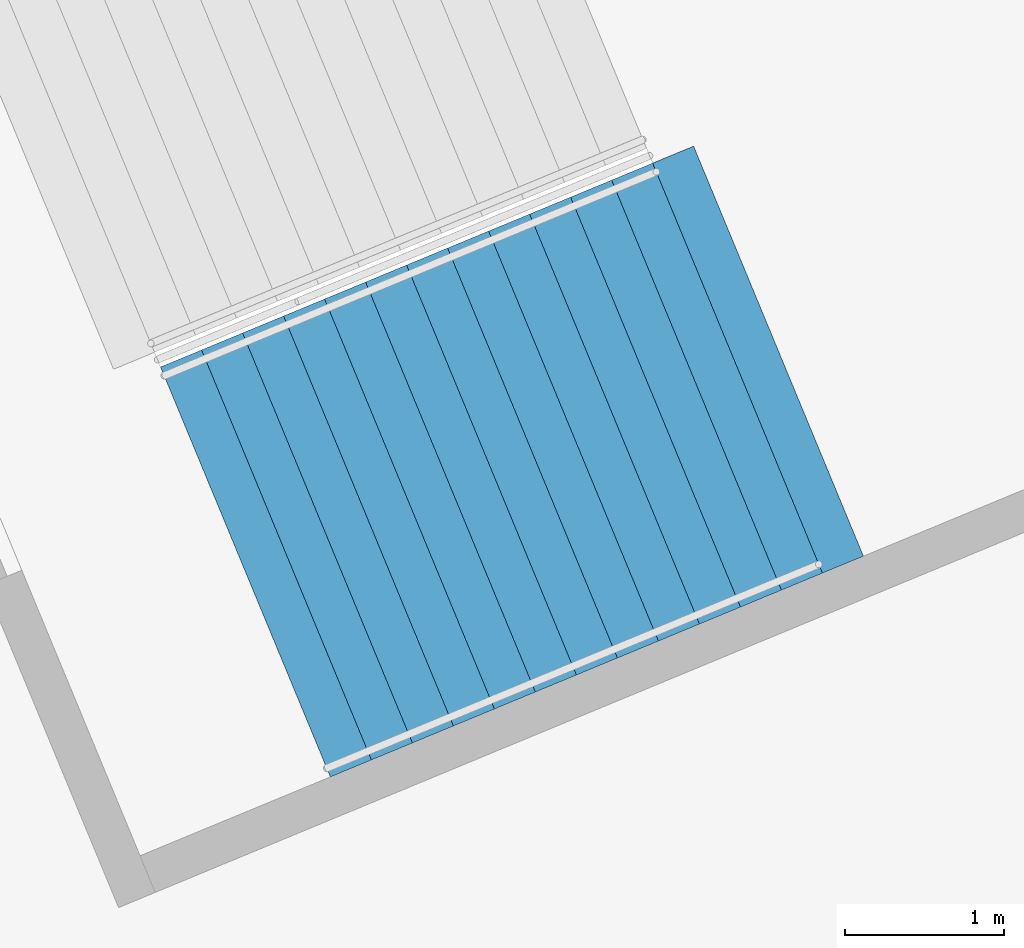
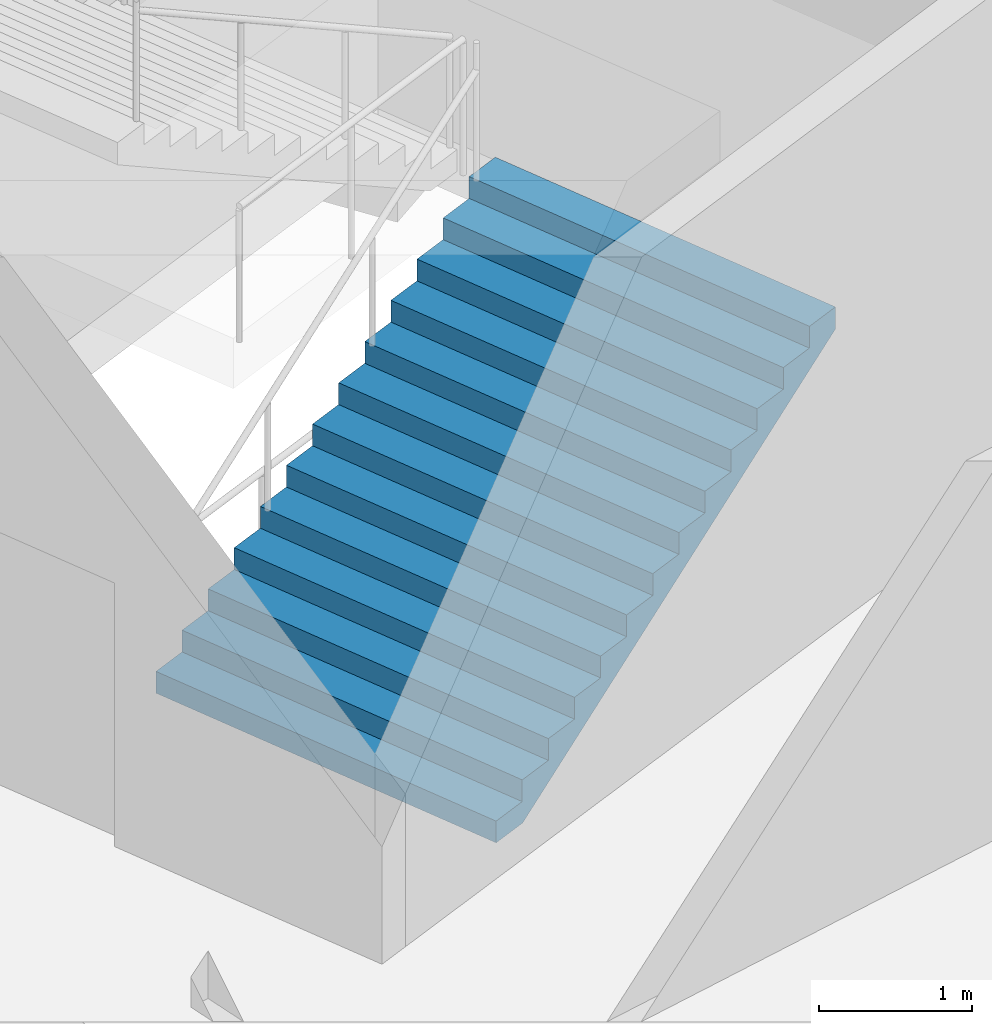
# One storey, part 181 of 199: 1 stair flight, 1 element without a shape of its own.
"""IFC4 building model written with IfcOpenShell, lengths in metres."""

from ifc_helpers import new_model, si_unit, direction, frame, origin, place, context, subcontext, project, spatial, faceted_brep, material, type_object, element, aggregate, save


model = new_model("IFC4")

# Units and contexts
model_context = context("Model", 3, precision=1e-05, world=origin(), true_north=direction((0.0, 1.0)))
body_context = subcontext(model_context, "Body", "Model", "MODEL_VIEW")
ifc_project = project(units=[si_unit("LENGTHUNIT", "METRE"), si_unit("AREAUNIT", "SQUARE_METRE"), si_unit("VOLUMEUNIT", "CUBIC_METRE"), si_unit("PLANEANGLEUNIT", "RADIAN"), si_unit("MASSUNIT", "GRAM", prefix="KILO")], contexts=[model_context])

# Site, building, storey
site_placement = place(None, origin())
site = spatial("IfcSite", under=ifc_project, at=site_placement, CompositionType="ELEMENT")
building_placement = place(site_placement, origin())
building = spatial("IfcBuilding", under=site, at=building_placement, Name="Ogive Plaza Stadium", CompositionType="ELEMENT")
storey_placement = place(building_placement, frame((0.0, 0.0, 4.5)))
storey = spatial("IfcBuildingStorey", under=building, at=storey_placement, Name="L01", CompositionType="ELEMENT", Elevation=4.5)

# Stair, stair flight
ifc_material_1 = material(Name="Concrete C40/50", Category="concrete")
stair_type = type_object("IfcStairType", Name="Exit stair", PredefinedType="STRAIGHT_RUN_STAIR", material=ifc_material_1)
stair_placement = place(storey_placement, origin())
stair = element("IfcStair", 1, at=stair_placement, inside=storey, type_object=stair_type, Name="Exit stair ST40A L01 to L02", PredefinedType="STRAIGHT_RUN_STAIR")
ifc_material_2 = material(Name="Concrete C40/50", Category="concrete")
stair_flight_type = type_object("IfcStairFlightType", Name="Exit stair flight", PredefinedType="STRAIGHT", material=ifc_material_2)
stair_flight_placement = place(storey_placement, frame((74.819580078125, 64.618408203125, 0.0), z_axis=(0.0, 0.0, 1.0), x_axis=(0.923879532511, 0.382683432365, 0.0)))
stair_flight = element("IfcStairFlight", 2, at=stair_flight_placement, type_object=stair_flight_type, Name="ST40A flight 1", NumberOfRisers=13, NumberOfTreads=12, PredefinedType="STRAIGHT", RiserHeight=0.173076923, TreadLength=0.28, context=body_context, shape_type="Brep", body=[
    faceted_brep([(0.28515625, -1.39990234375, 0.0), (3.639892578125, -1.39990234375, 2.07373046875), (3.639892578125, -1.39990234375, 2.25), (3.360107421875, -1.39990234375, 2.25), (3.360107421875, -1.39990234375, 2.076904296875), (3.080078125, -1.39990234375, 2.076904296875), (3.080078125, -1.39990234375, 1.90380859375), (2.800048828125, -1.39990234375, 1.90380859375), (2.800048828125, -1.39990234375, 1.730712890625), (2.52001953125, -1.39990234375, 1.730712890625), (2.52001953125, -1.39990234375, 1.5576171875), (2.239990234375, -1.39990234375, 1.5576171875), (2.239990234375, -1.39990234375, 1.384521484375), (1.9599609375, -1.39990234375, 1.384521484375), (1.9599609375, -1.39990234375, 1.21142578125), (1.679931640625, -1.39990234375, 1.21142578125), (1.679931640625, -1.39990234375, 1.03857421875), (1.39990234375, -1.39990234375, 1.03857421875), (1.39990234375, -1.39990234375, 0.865478515625), (1.1201171875, -1.39990234375, 0.865478515625), (1.1201171875, -1.39990234375, 0.6923828125), (0.840087890625, -1.39990234375, 0.6923828125), (0.840087890625, -1.39990234375, 0.519287109375), (0.56005859375, -1.39990234375, 0.519287109375), (0.56005859375, -1.39990234375, 0.34619140625), (0.280029296875, -1.39990234375, 0.34619140625), (0.280029296875, -1.39990234375, 0.173095703125), (0.0, -1.39990234375, 0.173095703125), (0.0, -1.39990234375, 0.0), (0.0, 1.39990234375, 0.0), (0.0, 1.39990234375, 0.173095703125), (0.280029296875, 1.39990234375, 0.173095703125), (0.280029296875, 1.39990234375, 0.34619140625), (0.56005859375, 1.39990234375, 0.34619140625), (0.56005859375, 1.39990234375, 0.519287109375), (0.840087890625, 1.39990234375, 0.519287109375), (0.840087890625, 1.39990234375, 0.6923828125), (1.1201171875, 1.39990234375, 0.6923828125), (1.1201171875, 1.39990234375, 0.865478515625), (1.39990234375, 1.39990234375, 0.865478515625), (1.39990234375, 1.39990234375, 1.03857421875), (1.679931640625, 1.39990234375, 1.03857421875), (1.679931640625, 1.39990234375, 1.21142578125), (1.9599609375, 1.39990234375, 1.21142578125), (1.9599609375, 1.39990234375, 1.384521484375), (2.239990234375, 1.39990234375, 1.384521484375), (2.239990234375, 1.39990234375, 1.5576171875), (2.52001953125, 1.39990234375, 1.5576171875), (2.52001953125, 1.39990234375, 1.730712890625), (2.800048828125, 1.39990234375, 1.730712890625), (2.800048828125, 1.39990234375, 1.90380859375), (3.080078125, 1.39990234375, 1.90380859375), (3.080078125, 1.39990234375, 2.076904296875), (3.360107421875, 1.39990234375, 2.076904296875), (3.360107421875, 1.39990234375, 2.25), (3.639892578125, 1.39990234375, 2.25), (3.639892578125, 1.39990234375, 2.07373046875), (0.28515625, 1.39990234375, 0.0), (0.28515625, -1.0888671875, 0.0), (3.639892578125, -1.0888671875, 2.07373046875), (0.28515625, -0.77783203125, 0.0), (3.639892578125, -0.77783203125, 2.07373046875), (0.28515625, -0.466796875, 0.0), (3.639892578125, -0.466796875, 2.07373046875), (0.28515625, -0.155517578125, 0.0), (3.639892578125, -0.155517578125, 2.07373046875), (0.28515625, 0.155517578125, 0.0), (3.639892578125, 0.155517578125, 2.07373046875), (0.28515625, 0.466796875, 0.0), (3.639892578125, 0.466796875, 2.07373046875), (0.28515625, 0.77783203125, 0.0), (3.639892578125, 0.77783203125, 2.07373046875), (0.28515625, 1.0888671875, 0.0), (3.639892578125, 1.0888671875, 2.07373046875), (3.639892578125, -1.0888671875, 2.25), (3.639892578125, -0.77783203125, 2.25), (3.639892578125, -0.466796875, 2.25), (3.639892578125, -0.155517578125, 2.25), (3.639892578125, 0.155517578125, 2.25), (3.639892578125, 0.466796875, 2.25), (3.639892578125, 0.77783203125, 2.25), (3.639892578125, 1.0888671875, 2.25), (3.360107421875, -1.0888671875, 2.25), (3.360107421875, -0.77783203125, 2.25), (3.360107421875, -0.466796875, 2.25), (3.360107421875, -0.155517578125, 2.25), (3.360107421875, 0.155517578125, 2.25), (3.360107421875, 0.466796875, 2.25), (3.360107421875, 0.77783203125, 2.25), (3.360107421875, 1.0888671875, 2.25), (3.360107421875, -1.0888671875, 2.076904296875), (3.360107421875, -0.77783203125, 2.076904296875), (3.360107421875, -0.466796875, 2.076904296875), (3.360107421875, -0.155517578125, 2.076904296875), (3.360107421875, 0.155517578125, 2.076904296875), (3.360107421875, 0.466796875, 2.076904296875), (3.360107421875, 0.77783203125, 2.076904296875), (3.360107421875, 1.0888671875, 2.076904296875), (3.080078125, -1.0888671875, 2.076904296875), (3.080078125, -0.77783203125, 2.076904296875), (3.080078125, -0.466796875, 2.076904296875), (3.080078125, -0.155517578125, 2.076904296875), (3.080078125, 0.155517578125, 2.076904296875), (3.080078125, 0.466796875, 2.076904296875), (3.080078125, 0.77783203125, 2.076904296875), (3.080078125, 1.0888671875, 2.076904296875), (3.080078125, -1.0888671875, 1.90380859375), (3.080078125, -0.77783203125, 1.90380859375), (3.080078125, -0.466796875, 1.90380859375), (3.080078125, -0.155517578125, 1.90380859375), (3.080078125, 0.155517578125, 1.90380859375), (3.080078125, 0.466796875, 1.90380859375), (3.080078125, 0.77783203125, 1.90380859375), (3.080078125, 1.0888671875, 1.90380859375), (2.800048828125, -1.0888671875, 1.90380859375), (2.800048828125, -0.77783203125, 1.90380859375), (2.800048828125, -0.466796875, 1.90380859375), (2.800048828125, -0.155517578125, 1.90380859375), (2.800048828125, 0.155517578125, 1.90380859375), (2.800048828125, 0.466796875, 1.90380859375), (2.800048828125, 0.77783203125, 1.90380859375), (2.800048828125, 1.0888671875, 1.90380859375), (2.800048828125, -1.0888671875, 1.730712890625), (2.800048828125, -0.77783203125, 1.730712890625), (2.800048828125, -0.466796875, 1.730712890625), (2.800048828125, -0.155517578125, 1.730712890625), (2.800048828125, 0.155517578125, 1.730712890625), (2.800048828125, 0.466796875, 1.730712890625), (2.800048828125, 0.77783203125, 1.730712890625), (2.800048828125, 1.0888671875, 1.730712890625), (2.52001953125, -1.0888671875, 1.730712890625), (2.52001953125, -0.77783203125, 1.730712890625), (2.52001953125, -0.466796875, 1.730712890625), (2.52001953125, -0.155517578125, 1.730712890625), (2.52001953125, 0.155517578125, 1.730712890625), (2.52001953125, 0.466796875, 1.730712890625), (2.52001953125, 0.77783203125, 1.730712890625), (2.52001953125, 1.0888671875, 1.730712890625), (2.52001953125, -1.0888671875, 1.5576171875), (2.52001953125, -0.77783203125, 1.5576171875), (2.52001953125, -0.466796875, 1.5576171875), (2.52001953125, -0.155517578125, 1.5576171875), (2.52001953125, 0.155517578125, 1.5576171875), (2.52001953125, 0.466796875, 1.5576171875), (2.52001953125, 0.77783203125, 1.5576171875), (2.52001953125, 1.0888671875, 1.5576171875), (2.239990234375, -1.0888671875, 1.5576171875), (2.239990234375, -0.77783203125, 1.5576171875), (2.239990234375, -0.466796875, 1.5576171875), (2.239990234375, -0.155517578125, 1.5576171875), (2.239990234375, 0.155517578125, 1.5576171875), (2.239990234375, 0.466796875, 1.5576171875), (2.239990234375, 0.77783203125, 1.5576171875), (2.239990234375, 1.0888671875, 1.5576171875), (2.239990234375, -1.0888671875, 1.384521484375), (2.239990234375, -0.77783203125, 1.384521484375), (2.239990234375, -0.466796875, 1.384521484375), (2.239990234375, -0.155517578125, 1.384521484375), (2.239990234375, 0.155517578125, 1.384521484375), (2.239990234375, 0.466796875, 1.384521484375), (2.239990234375, 0.77783203125, 1.384521484375), (2.239990234375, 1.0888671875, 1.384521484375), (1.9599609375, -1.0888671875, 1.384521484375), (1.9599609375, -0.77783203125, 1.384521484375), (1.9599609375, -0.466796875, 1.384521484375), (1.9599609375, -0.155517578125, 1.384521484375), (1.9599609375, 0.155517578125, 1.384521484375), (1.9599609375, 0.466796875, 1.384521484375), (1.9599609375, 0.77783203125, 1.384521484375), (1.9599609375, 1.0888671875, 1.384521484375), (1.9599609375, -1.0888671875, 1.21142578125), (1.9599609375, -0.77783203125, 1.21142578125), (1.9599609375, -0.466796875, 1.21142578125), (1.9599609375, -0.155517578125, 1.21142578125), (1.9599609375, 0.155517578125, 1.21142578125), (1.9599609375, 0.466796875, 1.21142578125), (1.9599609375, 0.77783203125, 1.21142578125), (1.9599609375, 1.0888671875, 1.21142578125), (1.679931640625, -1.0888671875, 1.21142578125), (1.679931640625, -0.77783203125, 1.21142578125), (1.679931640625, -0.466796875, 1.21142578125), (1.679931640625, -0.155517578125, 1.21142578125), (1.679931640625, 0.155517578125, 1.21142578125), (1.679931640625, 0.466796875, 1.21142578125), (1.679931640625, 0.77783203125, 1.21142578125), (1.679931640625, 1.0888671875, 1.21142578125), (1.679931640625, -1.0888671875, 1.03857421875), (1.679931640625, -0.77783203125, 1.03857421875), (1.679931640625, -0.466796875, 1.03857421875), (1.679931640625, -0.155517578125, 1.03857421875), (1.679931640625, 0.155517578125, 1.03857421875), (1.679931640625, 0.466796875, 1.03857421875), (1.679931640625, 0.77783203125, 1.03857421875), (1.679931640625, 1.0888671875, 1.03857421875), (1.39990234375, -1.0888671875, 1.03857421875), (1.39990234375, -0.77783203125, 1.03857421875), (1.39990234375, -0.466796875, 1.03857421875), (1.39990234375, -0.155517578125, 1.03857421875), (1.39990234375, 0.155517578125, 1.03857421875), (1.39990234375, 0.466796875, 1.03857421875), (1.39990234375, 0.77783203125, 1.03857421875), (1.39990234375, 1.0888671875, 1.03857421875), (1.39990234375, -1.0888671875, 0.865478515625), (1.39990234375, -0.77783203125, 0.865478515625), (1.39990234375, -0.466796875, 0.865478515625), (1.39990234375, -0.155517578125, 0.865478515625), (1.39990234375, 0.155517578125, 0.865478515625), (1.39990234375, 0.466796875, 0.865478515625), (1.39990234375, 0.77783203125, 0.865478515625), (1.39990234375, 1.0888671875, 0.865478515625), (1.1201171875, -1.0888671875, 0.865478515625), (1.1201171875, -0.77783203125, 0.865478515625), (1.1201171875, -0.466796875, 0.865478515625), (1.1201171875, -0.155517578125, 0.865478515625), (1.1201171875, 0.155517578125, 0.865478515625), (1.1201171875, 0.466796875, 0.865478515625), (1.1201171875, 0.77783203125, 0.865478515625), (1.1201171875, 1.0888671875, 0.865478515625), (1.1201171875, -1.0888671875, 0.6923828125), (1.1201171875, -0.77783203125, 0.6923828125), (1.1201171875, -0.466796875, 0.6923828125), (1.1201171875, -0.155517578125, 0.6923828125), (1.1201171875, 0.155517578125, 0.6923828125), (1.1201171875, 0.466796875, 0.6923828125), (1.1201171875, 0.77783203125, 0.6923828125), (1.1201171875, 1.0888671875, 0.6923828125), (0.840087890625, -1.0888671875, 0.6923828125), (0.840087890625, -0.77783203125, 0.6923828125), (0.840087890625, -0.466796875, 0.6923828125), (0.840087890625, -0.155517578125, 0.6923828125), (0.840087890625, 0.155517578125, 0.6923828125), (0.840087890625, 0.466796875, 0.6923828125), (0.840087890625, 0.77783203125, 0.6923828125), (0.840087890625, 1.0888671875, 0.6923828125), (0.840087890625, -1.0888671875, 0.519287109375), (0.840087890625, -0.77783203125, 0.519287109375), (0.840087890625, -0.466796875, 0.519287109375), (0.840087890625, -0.155517578125, 0.519287109375), (0.840087890625, 0.155517578125, 0.519287109375), (0.840087890625, 0.466796875, 0.519287109375), (0.840087890625, 0.77783203125, 0.519287109375), (0.840087890625, 1.0888671875, 0.519287109375), (0.56005859375, -1.0888671875, 0.519287109375), (0.56005859375, -0.77783203125, 0.519287109375), (0.56005859375, -0.466796875, 0.519287109375), (0.56005859375, -0.155517578125, 0.519287109375), (0.56005859375, 0.155517578125, 0.519287109375), (0.56005859375, 0.466796875, 0.519287109375), (0.56005859375, 0.77783203125, 0.519287109375), (0.56005859375, 1.0888671875, 0.519287109375), (0.56005859375, -1.0888671875, 0.34619140625), (0.56005859375, -0.77783203125, 0.34619140625), (0.56005859375, -0.466796875, 0.34619140625), (0.56005859375, -0.155517578125, 0.34619140625), (0.56005859375, 0.155517578125, 0.34619140625), (0.56005859375, 0.466796875, 0.34619140625), (0.56005859375, 0.77783203125, 0.34619140625), (0.56005859375, 1.0888671875, 0.34619140625), (0.280029296875, -1.0888671875, 0.34619140625), (0.280029296875, -0.77783203125, 0.34619140625), (0.280029296875, -0.466796875, 0.34619140625), (0.280029296875, -0.155517578125, 0.34619140625), (0.280029296875, 0.155517578125, 0.34619140625), (0.280029296875, 0.466796875, 0.34619140625), (0.280029296875, 0.77783203125, 0.34619140625), (0.280029296875, 1.0888671875, 0.34619140625), (0.280029296875, -1.0888671875, 0.173095703125), (0.280029296875, -0.77783203125, 0.173095703125), (0.280029296875, -0.466796875, 0.173095703125), (0.280029296875, -0.155517578125, 0.173095703125), (0.280029296875, 0.155517578125, 0.173095703125), (0.280029296875, 0.466796875, 0.173095703125), (0.280029296875, 0.77783203125, 0.173095703125), (0.280029296875, 1.0888671875, 0.173095703125), (0.0, -1.0888671875, 0.173095703125), (0.0, -0.77783203125, 0.173095703125), (0.0, -0.466796875, 0.173095703125), (0.0, -0.155517578125, 0.173095703125), (0.0, 0.155517578125, 0.173095703125), (0.0, 0.466796875, 0.173095703125), (0.0, 0.77783203125, 0.173095703125), (0.0, 1.0888671875, 0.173095703125), (0.0, -1.0888671875, 0.0), (0.0, -0.77783203125, 0.0), (0.0, -0.466796875, 0.0), (0.0, -0.155517578125, 0.0), (0.0, 0.155517578125, 0.0), (0.0, 0.466796875, 0.0), (0.0, 0.77783203125, 0.0), (0.0, 1.0888671875, 0.0)], [[[0, 1, 2, 3, 4, 5, 6, 7, 8, 9, 10, 11, 12, 13, 14, 15, 16, 17, 18, 19, 20, 21, 22, 23, 24, 25, 26, 27, 28]], [[29, 30, 31, 32, 33, 34, 35, 36, 37, 38, 39, 40, 41, 42, 43, 44, 45, 46, 47, 48, 49, 50, 51, 52, 53, 54, 55, 56, 57]], [[0, 58, 59, 1]], [[58, 60, 61, 59]], [[60, 62, 63, 61]], [[62, 64, 65, 63]], [[64, 66, 67, 65]], [[66, 68, 69, 67]], [[68, 70, 71, 69]], [[70, 72, 73, 71]], [[72, 57, 56, 73]], [[1, 59, 74, 2]], [[59, 61, 75, 74]], [[61, 63, 76, 75]], [[63, 65, 77, 76]], [[65, 67, 78, 77]], [[67, 69, 79, 78]], [[69, 71, 80, 79]], [[71, 73, 81, 80]], [[73, 56, 55, 81]], [[2, 74, 82, 3]], [[74, 75, 83, 82]], [[75, 76, 84, 83]], [[76, 77, 85, 84]], [[77, 78, 86, 85]], [[78, 79, 87, 86]], [[79, 80, 88, 87]], [[80, 81, 89, 88]], [[81, 55, 54, 89]], [[3, 82, 90, 4]], [[82, 83, 91, 90]], [[83, 84, 92, 91]], [[84, 85, 93, 92]], [[85, 86, 94, 93]], [[86, 87, 95, 94]], [[87, 88, 96, 95]], [[88, 89, 97, 96]], [[89, 54, 53, 97]], [[4, 90, 98, 5]], [[90, 91, 99, 98]], [[91, 92, 100, 99]], [[92, 93, 101, 100]], [[93, 94, 102, 101]], [[94, 95, 103, 102]], [[95, 96, 104, 103]], [[96, 97, 105, 104]], [[97, 53, 52, 105]], [[5, 98, 106, 6]], [[98, 99, 107, 106]], [[99, 100, 108, 107]], [[100, 101, 109, 108]], [[101, 102, 110, 109]], [[102, 103, 111, 110]], [[103, 104, 112, 111]], [[104, 105, 113, 112]], [[105, 52, 51, 113]], [[6, 106, 114, 7]], [[106, 107, 115, 114]], [[107, 108, 116, 115]], [[108, 109, 117, 116]], [[109, 110, 118, 117]], [[110, 111, 119, 118]], [[111, 112, 120, 119]], [[112, 113, 121, 120]], [[113, 51, 50, 121]], [[7, 114, 122, 8]], [[114, 115, 123, 122]], [[115, 116, 124, 123]], [[116, 117, 125, 124]], [[117, 118, 126, 125]], [[118, 119, 127, 126]], [[119, 120, 128, 127]], [[120, 121, 129, 128]], [[121, 50, 49, 129]], [[8, 122, 130, 9]], [[122, 123, 131, 130]], [[123, 124, 132, 131]], [[124, 125, 133, 132]], [[125, 126, 134, 133]], [[126, 127, 135, 134]], [[127, 128, 136, 135]], [[128, 129, 137, 136]], [[129, 49, 48, 137]], [[9, 130, 138, 10]], [[130, 131, 139, 138]], [[131, 132, 140, 139]], [[132, 133, 141, 140]], [[133, 134, 142, 141]], [[134, 135, 143, 142]], [[135, 136, 144, 143]], [[136, 137, 145, 144]], [[137, 48, 47, 145]], [[10, 138, 146, 11]], [[138, 139, 147, 146]], [[139, 140, 148, 147]], [[140, 141, 149, 148]], [[141, 142, 150, 149]], [[142, 143, 151, 150]], [[143, 144, 152, 151]], [[144, 145, 153, 152]], [[145, 47, 46, 153]], [[11, 146, 154, 12]], [[146, 147, 155, 154]], [[147, 148, 156, 155]], [[148, 149, 157, 156]], [[149, 150, 158, 157]], [[150, 151, 159, 158]], [[151, 152, 160, 159]], [[152, 153, 161, 160]], [[153, 46, 45, 161]], [[12, 154, 162, 13]], [[154, 155, 163, 162]], [[155, 156, 164, 163]], [[156, 157, 165, 164]], [[157, 158, 166, 165]], [[158, 159, 167, 166]], [[159, 160, 168, 167]], [[160, 161, 169, 168]], [[161, 45, 44, 169]], [[13, 162, 170, 14]], [[162, 163, 171, 170]], [[163, 164, 172, 171]], [[164, 165, 173, 172]], [[165, 166, 174, 173]], [[166, 167, 175, 174]], [[167, 168, 176, 175]], [[168, 169, 177, 176]], [[169, 44, 43, 177]], [[14, 170, 178, 15]], [[170, 171, 179, 178]], [[171, 172, 180, 179]], [[172, 173, 181, 180]], [[173, 174, 182, 181]], [[174, 175, 183, 182]], [[175, 176, 184, 183]], [[176, 177, 185, 184]], [[177, 43, 42, 185]], [[15, 178, 186, 16]], [[178, 179, 187, 186]], [[179, 180, 188, 187]], [[180, 181, 189, 188]], [[181, 182, 190, 189]], [[182, 183, 191, 190]], [[183, 184, 192, 191]], [[184, 185, 193, 192]], [[185, 42, 41, 193]], [[16, 186, 194, 17]], [[186, 187, 195, 194]], [[187, 188, 196, 195]], [[188, 189, 197, 196]], [[189, 190, 198, 197]], [[190, 191, 199, 198]], [[191, 192, 200, 199]], [[192, 193, 201, 200]], [[193, 41, 40, 201]], [[17, 194, 202, 18]], [[194, 195, 203, 202]], [[195, 196, 204, 203]], [[196, 197, 205, 204]], [[197, 198, 206, 205]], [[198, 199, 207, 206]], [[199, 200, 208, 207]], [[200, 201, 209, 208]], [[201, 40, 39, 209]], [[18, 202, 210, 19]], [[202, 203, 211, 210]], [[203, 204, 212, 211]], [[204, 205, 213, 212]], [[205, 206, 214, 213]], [[206, 207, 215, 214]], [[207, 208, 216, 215]], [[208, 209, 217, 216]], [[209, 39, 38, 217]], [[19, 210, 218, 20]], [[210, 211, 219, 218]], [[211, 212, 220, 219]], [[212, 213, 221, 220]], [[213, 214, 222, 221]], [[214, 215, 223, 222]], [[215, 216, 224, 223]], [[216, 217, 225, 224]], [[217, 38, 37, 225]], [[20, 218, 226, 21]], [[218, 219, 227, 226]], [[219, 220, 228, 227]], [[220, 221, 229, 228]], [[221, 222, 230, 229]], [[222, 223, 231, 230]], [[223, 224, 232, 231]], [[224, 225, 233, 232]], [[225, 37, 36, 233]], [[21, 226, 234, 22]], [[226, 227, 235, 234]], [[227, 228, 236, 235]], [[228, 229, 237, 236]], [[229, 230, 238, 237]], [[230, 231, 239, 238]], [[231, 232, 240, 239]], [[232, 233, 241, 240]], [[233, 36, 35, 241]], [[22, 234, 242, 23]], [[234, 235, 243, 242]], [[235, 236, 244, 243]], [[236, 237, 245, 244]], [[237, 238, 246, 245]], [[238, 239, 247, 246]], [[239, 240, 248, 247]], [[240, 241, 249, 248]], [[241, 35, 34, 249]], [[23, 242, 250, 24]], [[242, 243, 251, 250]], [[243, 244, 252, 251]], [[244, 245, 253, 252]], [[245, 246, 254, 253]], [[246, 247, 255, 254]], [[247, 248, 256, 255]], [[248, 249, 257, 256]], [[249, 34, 33, 257]], [[24, 250, 258, 25]], [[250, 251, 259, 258]], [[251, 252, 260, 259]], [[252, 253, 261, 260]], [[253, 254, 262, 261]], [[254, 255, 263, 262]], [[255, 256, 264, 263]], [[256, 257, 265, 264]], [[257, 33, 32, 265]], [[25, 258, 266, 26]], [[258, 259, 267, 266]], [[259, 260, 268, 267]], [[260, 261, 269, 268]], [[261, 262, 270, 269]], [[262, 263, 271, 270]], [[263, 264, 272, 271]], [[264, 265, 273, 272]], [[265, 32, 31, 273]], [[26, 266, 274, 27]], [[266, 267, 275, 274]], [[267, 268, 276, 275]], [[268, 269, 277, 276]], [[269, 270, 278, 277]], [[270, 271, 279, 278]], [[271, 272, 280, 279]], [[272, 273, 281, 280]], [[273, 31, 30, 281]], [[27, 274, 282, 28]], [[274, 275, 283, 282]], [[275, 276, 284, 283]], [[276, 277, 285, 284]], [[277, 278, 286, 285]], [[278, 279, 287, 286]], [[279, 280, 288, 287]], [[280, 281, 289, 288]], [[281, 30, 29, 289]], [[28, 282, 58, 0]], [[282, 283, 60, 58]], [[283, 284, 62, 60]], [[284, 285, 64, 62]], [[285, 286, 66, 64]], [[286, 287, 68, 66]], [[287, 288, 70, 68]], [[288, 289, 72, 70]], [[289, 29, 57, 72]]]),
])
aggregate(stair, [stair_flight])

save(model, "model.ifc")
